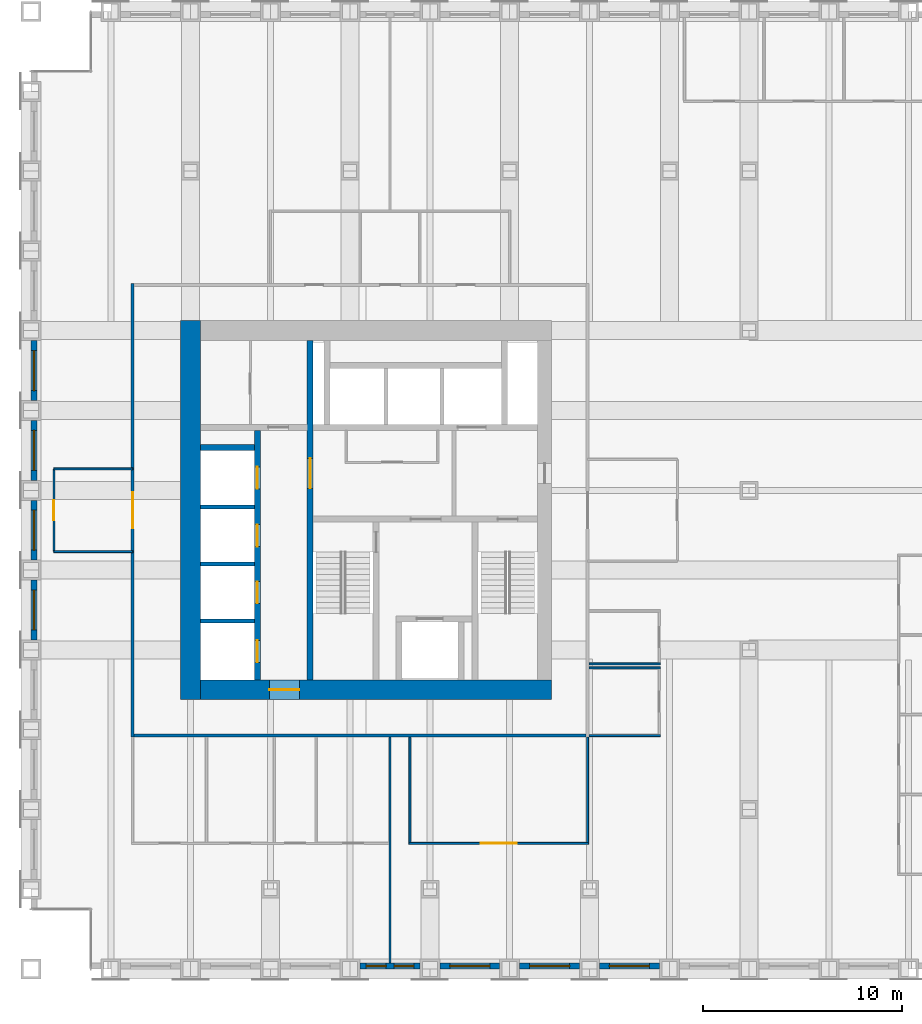
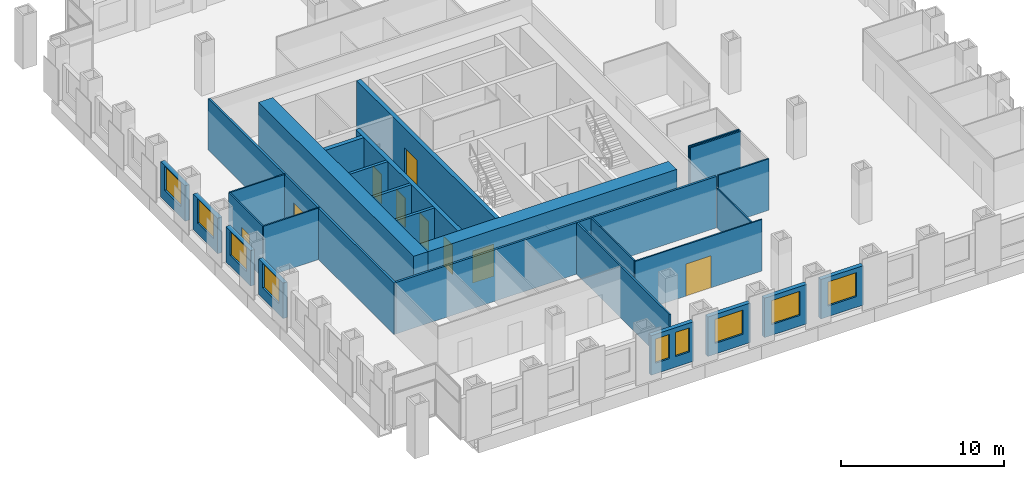
# One storey, part 11 of 16: 28 walls, 9 doors, 9 windows, 18 openings.
"""IFC4 building model written with IfcOpenShell, lengths in metres."""

from ifc_helpers import new_model, si_unit, direction, frame, frame_2d, origin, place, context, subcontext, project, spatial, rectangle, extrude, material, layer, layer_set, type_object, element, fill, save


model = new_model("IFC4")

# Units and contexts
model_context = context("Model", 3, precision=1e-05, world=origin(), true_north=direction((0.0, 1.0)))
body_context = subcontext(model_context, "Body", "Model", "MODEL_VIEW")
ifc_project = project(units=[si_unit("LENGTHUNIT", "METRE"), si_unit("AREAUNIT", "SQUARE_METRE"), si_unit("VOLUMEUNIT", "CUBIC_METRE"), si_unit("PLANEANGLEUNIT", "RADIAN"), si_unit("MASSUNIT", "GRAM", prefix="KILO")], contexts=[model_context])

# Site, building, storey
site_placement = place(None, origin())
site = spatial("IfcSite", under=ifc_project, at=site_placement, CompositionType="ELEMENT")
building_placement = place(site_placement, origin())
building = spatial("IfcBuilding", under=site, at=building_placement, Name="Rimbunsela Tower", CompositionType="ELEMENT")
storey_placement = place(building_placement, frame((0.0, 0.0, 133.39990234375)))
storey = spatial("IfcBuildingStorey", under=building, at=storey_placement, Name="L32", CompositionType="ELEMENT", Elevation=133.39990234375)

# Wall, opening, door
ifc_material_1 = material(Name="Concrete fc' 80 MPa", Category="concrete")
ifc_layer_1 = layer(ifc_material_1, 0.300048828125)
ifc_layer_set_1 = layer_set([ifc_layer_1], Name="Core internal wall 300")
wall_type_1 = type_object("IfcWallType", Name="Core internal wall 300", PredefinedType="SHEAR", material=ifc_layer_set_1)
wall_1_placement = place(storey_placement, frame((24.0, 18.5, -0.14990234375), z_axis=(0.0, 0.0, 1.0), x_axis=(0.0, 1.0, 0.0)))
wall_1 = element("IfcWall", 1, at=wall_1_placement, inside=storey, type_object=wall_type_1, Name="Core wall at stair A", PredefinedType="SHEAR", context=body_context, shape_type="SweptSolid", body=[
    extrude(rectangle(XDim=17.0, YDim=0.300048828125, at=frame_2d((8.5, 0.0))), origin(), (0.0, 0.0, 1.0), 4.0),
])
opening_1_placement = place(wall_1_placement, frame((9.60009765625, 0.0, 0.14990234375)))
opening_1 = element("IfcOpeningElement", 2, at=opening_1_placement, cuts=wall_1, Name="Opening D03", PredefinedType="OPENING", context=body_context, shape_type="SweptSolid", body=[
    extrude(rectangle(XDim=1.5, YDim=2.39990234375, at=frame_2d((0.75, 1.199951171875))), frame((0.0, 0.159912109375, 0.0), z_axis=(0.0, -1.0, 0.0), x_axis=(1.0, 0.0, 0.0)), (0.0, 0.0, 1.0), 0.320068359375),
])
ifc_material_2 = material(Name="Steel door, fire rated", Category="steel")
door_type_1 = type_object("IfcDoorType", Name="Core lobby door 1500", OperationType="DOUBLE_DOOR_DOUBLE_SWING", PredefinedType="DOOR", material=ifc_material_2)
door_1_placement = place(opening_1_placement, origin())
door_1 = element("IfcDoor", 3, at=door_1_placement, inside=storey, type_object=door_type_1, Name="West lobby door", OperationType="DOUBLE_DOOR_DOUBLE_SWING", OverallHeight=2.39990234375, OverallWidth=1.5, PredefinedType="DOOR", context=body_context, shape_type="SweptSolid", body=[
    extrude(rectangle(XDim=1.5, YDim=2.39990234375, at=frame_2d((0.75, 1.199951171875))), frame((0.0, 0.02490234375, 0.0), z_axis=(0.0, -1.0, 0.0), x_axis=(1.0, 0.0, 0.0)), (0.0, 0.0, 1.0), 0.050048828125),
])
fill(opening_1, door_1)

# Wall, openings, doors
wall_2_placement = place(storey_placement, frame((21.35009765625, 18.5, -0.14990234375), z_axis=(0.0, 0.0, 1.0), x_axis=(0.0, 1.0, 0.0)))
wall_2 = element("IfcWall", 4, at=wall_2_placement, inside=storey, type_object=wall_type_1, Name="Lift shaft front west", PredefinedType="SHEAR", context=body_context, shape_type="SweptSolid", body=[
    extrude(rectangle(XDim=12.5, YDim=0.300048828125, at=frame_2d((6.25, 0.0))), origin(), (0.0, 0.0, 1.0), 4.0),
])
opening_2_placement = place(wall_2_placement, frame((0.875, 0.0, 0.14990234375)))
opening_2 = element("IfcOpeningElement", 5, at=opening_2_placement, cuts=wall_2, Name="Opening LD1", PredefinedType="OPENING", context=body_context, shape_type="SweptSolid", body=[
    extrude(rectangle(XDim=1.10009765625, YDim=2.199951171875, at=frame_2d((0.550048828125, 1.10009765625))), frame((0.0, 0.159912109375, 0.0), z_axis=(0.0, -1.0, 0.0), x_axis=(1.0, 0.0, 0.0)), (0.0, 0.0, 1.0), 0.320068359375),
])
opening_3_placement = place(wall_2_placement, frame((3.824951171875, 0.0, 0.14990234375)))
opening_3 = element("IfcOpeningElement", 6, at=opening_3_placement, cuts=wall_2, Name="Opening LD1", PredefinedType="OPENING", context=body_context, shape_type="SweptSolid", body=[
    extrude(rectangle(XDim=1.10009765625, YDim=2.199951171875, at=frame_2d((0.550048828125, 1.10009765625))), frame((0.0, 0.159912109375, 0.0), z_axis=(0.0, -1.0, 0.0), x_axis=(1.0, 0.0, 0.0)), (0.0, 0.0, 1.0), 0.320068359375),
])
opening_4_placement = place(wall_2_placement, frame((6.675048828125, 0.0, 0.14990234375)))
opening_4 = element("IfcOpeningElement", 7, at=opening_4_placement, cuts=wall_2, Name="Opening LD1", PredefinedType="OPENING", context=body_context, shape_type="SweptSolid", body=[
    extrude(rectangle(XDim=1.10009765625, YDim=2.199951171875, at=frame_2d((0.550048828125, 1.10009765625))), frame((0.0, 0.159912109375, 0.0), z_axis=(0.0, -1.0, 0.0), x_axis=(1.0, 0.0, 0.0)), (0.0, 0.0, 1.0), 0.320068359375),
])
opening_5_placement = place(wall_2_placement, frame((9.574951171875, 0.0, 0.14990234375)))
opening_5 = element("IfcOpeningElement", 8, at=opening_5_placement, cuts=wall_2, Name="Opening LD1", PredefinedType="OPENING", context=body_context, shape_type="SweptSolid", body=[
    extrude(rectangle(XDim=1.10009765625, YDim=2.199951171875, at=frame_2d((0.550048828125, 1.10009765625))), frame((0.0, 0.159912109375, 0.0), z_axis=(0.0, -1.0, 0.0), x_axis=(1.0, 0.0, 0.0)), (0.0, 0.0, 1.0), 0.320068359375),
])
ifc_material_3 = material(Name="Steel door, fire rated", Category="steel")
door_type_2 = type_object("IfcDoorType", Name="Lift landing door 1100", OperationType="DOUBLE_DOOR_SLIDING", PredefinedType="DOOR", material=ifc_material_3)
door_2_placement = place(opening_2_placement, origin())
door_2 = element("IfcDoor", 9, at=door_2_placement, inside=storey, type_object=door_type_2, Name="Lift landing door ML1", OperationType="DOUBLE_DOOR_SLIDING", OverallHeight=2.199951171875, OverallWidth=1.10009765625, PredefinedType="DOOR", context=body_context, shape_type="SweptSolid", body=[
    extrude(rectangle(XDim=1.10009765625, YDim=2.199951171875, at=frame_2d((0.550048828125, 1.10009765625))), frame((0.0, 0.02490234375, 0.0), z_axis=(0.0, -1.0, 0.0), x_axis=(1.0, 0.0, 0.0)), (0.0, 0.0, 1.0), 0.050048828125),
])
fill(opening_2, door_2)
door_3_placement = place(opening_3_placement, origin())
door_3 = element("IfcDoor", 10, at=door_3_placement, inside=storey, type_object=door_type_2, Name="Lift landing door ML2", OperationType="DOUBLE_DOOR_SLIDING", OverallHeight=2.199951171875, OverallWidth=1.10009765625, PredefinedType="DOOR", context=body_context, shape_type="SweptSolid", body=[
    extrude(rectangle(XDim=1.10009765625, YDim=2.199951171875, at=frame_2d((0.550048828125, 1.10009765625))), frame((0.0, 0.02490234375, 0.0), z_axis=(0.0, -1.0, 0.0), x_axis=(1.0, 0.0, 0.0)), (0.0, 0.0, 1.0), 0.050048828125),
])
fill(opening_3, door_3)
door_4_placement = place(opening_4_placement, origin())
door_4 = element("IfcDoor", 11, at=door_4_placement, inside=storey, type_object=door_type_2, Name="Lift landing door ML3", OperationType="DOUBLE_DOOR_SLIDING", OverallHeight=2.199951171875, OverallWidth=1.10009765625, PredefinedType="DOOR", context=body_context, shape_type="SweptSolid", body=[
    extrude(rectangle(XDim=1.10009765625, YDim=2.199951171875, at=frame_2d((0.550048828125, 1.10009765625))), frame((0.0, 0.02490234375, 0.0), z_axis=(0.0, -1.0, 0.0), x_axis=(1.0, 0.0, 0.0)), (0.0, 0.0, 1.0), 0.050048828125),
])
fill(opening_4, door_4)
door_5_placement = place(opening_5_placement, origin())
door_5 = element("IfcDoor", 12, at=door_5_placement, inside=storey, type_object=door_type_2, Name="Lift landing door ML4", OperationType="DOUBLE_DOOR_SLIDING", OverallHeight=2.199951171875, OverallWidth=1.10009765625, PredefinedType="DOOR", context=body_context, shape_type="SweptSolid", body=[
    extrude(rectangle(XDim=1.10009765625, YDim=2.199951171875, at=frame_2d((0.550048828125, 1.10009765625))), frame((0.0, 0.02490234375, 0.0), z_axis=(0.0, -1.0, 0.0), x_axis=(1.0, 0.0, 0.0)), (0.0, 0.0, 1.0), 0.050048828125),
])
fill(opening_5, door_5)

# Walls
wall_3_placement = place(storey_placement, frame((18.5, 30.14990234375, -0.14990234375), z_axis=(0.0, 0.0, 1.0), x_axis=(1.0, 0.0, 0.0)))
element("IfcWall", 13, at=wall_3_placement, inside=storey, type_object=wall_type_1, Name="Lift shaft rear west", PredefinedType="SHEAR", context=body_context, shape_type="SweptSolid", body=[
    extrude(rectangle(XDim=2.699951171875, YDim=0.300048828125, at=frame_2d((1.35009765625, 0.0))), origin(), (0.0, 0.0, 1.0), 4.0),
])
ifc_material_4 = material(Name="Concrete fc' 80 MPa", Category="concrete")
ifc_layer_2 = layer(ifc_material_4, 1.0)
ifc_layer_set_2 = layer_set([ifc_layer_2], Name="Core wall 1000")
wall_type_2 = type_object("IfcWallType", Name="Core wall 1000", PredefinedType="SHEAR", material=ifc_layer_set_2)
wall_4_placement = place(storey_placement, frame((18.0, 17.5, -0.14990234375), z_axis=(0.0, 0.0, 1.0), x_axis=(0.0, 1.0, 0.0)))
element("IfcWall", 14, at=wall_4_placement, inside=storey, type_object=wall_type_2, Name="Core wall west", PredefinedType="SHEAR", context=body_context, shape_type="SweptSolid", body=[
    extrude(rectangle(XDim=19.0, YDim=1.0, at=frame_2d((9.5, 0.0))), origin(), (0.0, 0.0, 1.0), 4.0),
])

# Wall, opening, door
wall_5_placement = place(storey_placement, frame((18.5, 18.0, -0.14990234375), z_axis=(0.0, 0.0, 1.0), x_axis=(1.0, 0.0, 0.0)))
wall_5 = element("IfcWall", 15, at=wall_5_placement, inside=storey, type_object=wall_type_2, Name="Core wall south", PredefinedType="SHEAR", context=body_context, shape_type="SweptSolid", body=[
    extrude(rectangle(XDim=17.60009765625, YDim=1.0, at=frame_2d((8.800048828125, 0.0))), origin(), (0.0, 0.0, 1.0), 4.0),
])
opening_6_placement = place(wall_5_placement, frame((3.449951171875, 0.0, 0.14990234375)))
opening_6 = element("IfcOpeningElement", 16, at=opening_6_placement, cuts=wall_5, Name="Opening D03", PredefinedType="OPENING", context=body_context, shape_type="SweptSolid", body=[
    extrude(rectangle(XDim=1.5, YDim=2.39990234375, at=frame_2d((0.75, 1.199951171875))), frame((0.0, 0.510009765625, 0.0), z_axis=(0.0, -1.0, 0.0), x_axis=(1.0, 0.0, 0.0)), (0.0, 0.0, 1.0), 1.02001953125),
])
door_6_placement = place(opening_6_placement, origin())
door_6 = element("IfcDoor", 17, at=door_6_placement, inside=storey, type_object=door_type_1, Name="Core door south", OperationType="DOUBLE_DOOR_DOUBLE_SWING", OverallHeight=2.39990234375, OverallWidth=1.5, PredefinedType="DOOR", context=body_context, shape_type="SweptSolid", body=[
    extrude(rectangle(XDim=1.5, YDim=2.39990234375, at=frame_2d((0.75, 1.199951171875))), frame((0.0, 0.02490234375, 0.0), z_axis=(0.0, -1.0, 0.0), x_axis=(1.0, 0.0, 0.0)), (0.0, 0.0, 1.0), 0.050048828125),
])
fill(opening_6, door_6)

# Walls
ifc_material_5 = material(Name="Concrete blockwork", Category="masonry")
ifc_layer_3 = layer(ifc_material_5, 0.199951171875)
ifc_layer_set_3 = layer_set([ifc_layer_3], Name="Lift shaft wall 200")
wall_type_3 = type_object("IfcWallType", Name="Lift shaft wall 200", PredefinedType="SOLIDWALL", material=ifc_layer_set_3)
for number, where, z_axis, x_axis, name in (
    (18, (18.5, 21.449951171875, -0.14990234375), (0.0, 0.0, 1.0), (1.0, 0.0, 0.0), "Lift shaft separation"),
    (19, (18.5, 24.300048828125, -0.14990234375), (0.0, 0.0, 1.0), (1.0, 0.0, 0.0), "Lift shaft separation"),
    (20, (18.5, 27.14990234375, -0.14990234375), (0.0, 0.0, 1.0), (1.0, 0.0, 0.0), "Lift shaft separation"),
):
    element("IfcWall", number, at=place(storey_placement, frame(where, z_axis=z_axis, x_axis=x_axis)), inside=storey, type_object=wall_type_3, Name=name, PredefinedType="SOLIDWALL", context=body_context, shape_type="SweptSolid", body=[
        extrude(rectangle(XDim=2.699951171875, YDim=0.199951171875, at=frame_2d((1.35009765625, 0.0))), origin(), (0.0, 0.0, 1.0), 4.0),
    ])

# Wall, opening, door
ifc_material_6 = material(Name="Gypsum board on steel studs", Category="steel")
ifc_layer_4 = layer(ifc_material_6, 0.10009765625)
ifc_layer_set_4 = layer_set([ifc_layer_4], Name="Office partition 100")
wall_type_4 = type_object("IfcWallType", Name="Office partition 100", PredefinedType="PARTITIONING", material=ifc_layer_set_4)
wall_6_placement = place(storey_placement, frame((28.948974609375, 10.300048828125, 0.0), z_axis=(0.0, 0.0, 1.0), x_axis=(1.0, 0.0, 0.0)))
wall_6 = element("IfcWall", 21, at=wall_6_placement, inside=storey, type_object=wall_type_4, Name="Office partition", PredefinedType="PARTITIONING", context=body_context, shape_type="SweptSolid", body=[
    extrude(rectangle(XDim=9.0009765625, YDim=0.10009765625, at=frame_2d((4.50048828125, 0.0))), origin(), (0.0, 0.0, 1.0), 3.85009765625),
])
opening_7_placement = place(wall_6_placement, frame((3.6005859375, 0.0, 0.0)))
opening_7 = element("IfcOpeningElement", 22, at=opening_7_placement, cuts=wall_6, Name="Opening D18", PredefinedType="OPENING", context=body_context, shape_type="SweptSolid", body=[
    extrude(rectangle(XDim=1.800048828125, YDim=2.39990234375, at=frame_2d((0.89990234375, 1.199951171875))), frame((0.0, 0.06005859375, 0.0), z_axis=(0.0, -1.0, 0.0), x_axis=(1.0, 0.0, 0.0)), (0.0, 0.0, 1.0), 0.1201171875),
])
ifc_material_7 = material(Name="Glazed aluminium door", Category="aluminium")
door_type_3 = type_object("IfcDoorType", Name="Boardroom door 1800 glazed", OperationType="DOUBLE_DOOR_DOUBLE_SWING", PredefinedType="DOOR", material=ifc_material_7)
door_7_placement = place(opening_7_placement, origin())
door_7 = element("IfcDoor", 23, at=door_7_placement, inside=storey, type_object=door_type_3, Name="Boardroom door", OperationType="DOUBLE_DOOR_DOUBLE_SWING", OverallHeight=2.39990234375, OverallWidth=1.800048828125, PredefinedType="DOOR", context=body_context, shape_type="SweptSolid", body=[
    extrude(rectangle(XDim=1.800048828125, YDim=2.39990234375, at=frame_2d((0.89990234375, 1.199951171875))), frame((0.0, 0.02490234375, 0.0), z_axis=(0.0, -1.0, 0.0), x_axis=(1.0, 0.0, 0.0)), (0.0, 0.0, 1.0), 0.050048828125),
])
fill(opening_7, door_7)

# Walls
for number, where, z_axis, x_axis, name in (
    (24, (37.97509765625, 15.699951171875, 0.0), (0.0, 0.0, 1.0), (1.0, 0.0, 0.0), "Office partition"),
    (25, (37.97509765625, 19.10009765625, 0.0), (0.0, 0.0, 1.0), (1.0, 0.0, 0.0), "Office partition"),
    (26, (37.97509765625, 19.300048828125, 0.0), (0.0, 0.0, 1.0), (1.0, 0.0, 0.0), "Office partition"),
):
    element("IfcWall", number, at=place(storey_placement, frame(where, z_axis=z_axis, x_axis=x_axis)), inside=storey, type_object=wall_type_4, Name=name, PredefinedType="PARTITIONING", context=body_context, shape_type="SweptSolid", body=[
        extrude(rectangle(XDim=3.574951171875, YDim=0.10009765625, at=frame_2d((1.78759765625, 0.0))), origin(), (0.0, 0.0, 1.0), 3.85009765625),
    ])
wall_7_placement = place(storey_placement, frame((28.9990234375, 10.35009765625, 0.0), z_axis=(0.0, 0.0, 1.0), x_axis=(0.0, 1.0, 0.0)))
element("IfcWall", 27, at=wall_7_placement, inside=storey, type_object=wall_type_4, Name="Office partition", PredefinedType="PARTITIONING", context=body_context, shape_type="SweptSolid", body=[
    extrude(rectangle(XDim=5.27490234375, YDim=0.10009765625, at=frame_2d((2.637451171875, 0.0))), origin(), (0.0, 0.0, 1.0), 3.85009765625),
])
wall_8_placement = place(storey_placement, frame((37.89990234375, 10.35009765625, 0.0), z_axis=(0.0, 0.0, 1.0), x_axis=(0.0, 1.0, 0.0)))
element("IfcWall", 28, at=wall_8_placement, inside=storey, type_object=wall_type_4, Name="Office partition", PredefinedType="PARTITIONING", context=body_context, shape_type="SweptSolid", body=[
    extrude(rectangle(XDim=5.27490234375, YDim=0.10009765625, at=frame_2d((2.637451171875, 0.0))), origin(), (0.0, 0.0, 1.0), 2.9501953125),
])
wall_9_placement = place(storey_placement, frame((15.10009765625, 29.074951171875, 0.0), z_axis=(0.0, 0.0, 1.0), x_axis=(-1.0, 0.0, 0.0)))
element("IfcWall", 29, at=wall_9_placement, inside=storey, type_object=wall_type_4, Name="Office partition", PredefinedType="PARTITIONING", context=body_context, shape_type="SweptSolid", body=[
    extrude(rectangle(XDim=3.9501953125, YDim=0.10009765625, at=frame_2d((1.97509765625, 0.0))), origin(), (0.0, 0.0, 1.0), 3.85009765625),
])

# Wall, opening, door
wall_10_placement = place(storey_placement, frame((11.14990234375, 29.074951171875, 0.0), z_axis=(0.0, 0.0, 1.0), x_axis=(0.0, -1.0, 0.0)))
wall_10 = element("IfcWall", 30, at=wall_10_placement, inside=storey, type_object=wall_type_4, Name="Office partition", PredefinedType="PARTITIONING", context=body_context, shape_type="SweptSolid", body=[
    extrude(rectangle(XDim=4.14990234375, YDim=0.10009765625, at=frame_2d((2.074951171875, 0.0))), origin(), (0.0, 0.0, 1.0), 3.85009765625),
])
opening_8_placement = place(wall_10_placement, frame((1.574951171875, 0.0, 0.0)))
opening_8 = element("IfcOpeningElement", 31, at=opening_8_placement, cuts=wall_10, Name="Opening D17", PredefinedType="OPENING", context=body_context, shape_type="SweptSolid", body=[
    extrude(rectangle(XDim=1.0, YDim=2.199951171875, at=frame_2d((0.5, 1.10009765625))), frame((0.0, 0.06005859375, 0.0), z_axis=(0.0, -1.0, 0.0), x_axis=(1.0, 0.0, 0.0)), (0.0, 0.0, 1.0), 0.1201171875),
])
ifc_material_8 = material(Name="Glazed aluminium door", Category="aluminium")
door_type_4 = type_object("IfcDoorType", Name="Meeting room door 1000 glazed", OperationType="SINGLE_SWING_RIGHT", PredefinedType="DOOR", material=ifc_material_8)
door_8_placement = place(opening_8_placement, origin())
door_8 = element("IfcDoor", 32, at=door_8_placement, inside=storey, type_object=door_type_4, Name="Reception door", OperationType="SINGLE_SWING_RIGHT", OverallHeight=2.199951171875, OverallWidth=1.0, PredefinedType="DOOR", context=body_context, shape_type="SweptSolid", body=[
    extrude(rectangle(XDim=1.0, YDim=2.199951171875, at=frame_2d((0.5, 1.10009765625))), frame((0.0, 0.02490234375, 0.0), z_axis=(0.0, -1.0, 0.0), x_axis=(1.0, 0.0, 0.0)), (0.0, 0.0, 1.0), 0.050048828125),
])
fill(opening_8, door_8)

# Wall
wall_11_placement = place(storey_placement, frame((11.14990234375, 24.925048828125, 0.0), z_axis=(0.0, 0.0, 1.0), x_axis=(1.0, 0.0, 0.0)))
element("IfcWall", 33, at=wall_11_placement, inside=storey, type_object=wall_type_4, Name="Office partition", PredefinedType="PARTITIONING", context=body_context, shape_type="SweptSolid", body=[
    extrude(rectangle(XDim=3.9501953125, YDim=0.10009765625, at=frame_2d((1.97509765625, 0.0))), origin(), (0.0, 0.0, 1.0), 3.85009765625),
])

# Wall, openings, windows
ifc_material_9 = material(Name="Precast concrete fc' 35 MPa", Category="concrete")
ifc_layer_5 = layer(ifc_material_9, 0.300048828125)
ifc_layer_set_5 = layer_set([ifc_layer_5], Name="Precast concrete fc' 35 MPa")
wall_type_5 = type_object("IfcWallType", Name="Precast facade panel 300", PredefinedType="ELEMENTEDWALL", material=ifc_layer_set_5)
wall_12_placement = place(storey_placement, frame((26.5, 4.14990234375, 0.0), z_axis=(0.0, 0.0, 1.0), x_axis=(1.0, 0.0, 0.0)))
wall_12 = element("IfcWall", 34, at=wall_12_placement, inside=storey, type_object=wall_type_5, Name="Facade panel S L32", PredefinedType="ELEMENTEDWALL", context=body_context, shape_type="SweptSolid", body=[
    extrude(rectangle(XDim=3.0, YDim=0.300048828125, at=frame_2d((1.5, 0.0))), origin(), (0.0, 0.0, 1.0), 2.9501953125),
])
opening_9_placement = place(wall_12_placement, frame((0.300048828125, 0.0, 0.800048828125)))
opening_9 = element("IfcOpeningElement", 35, at=opening_9_placement, cuts=wall_12, Name="Opening W8", PredefinedType="OPENING", context=body_context, shape_type="SweptSolid", body=[
    extrude(rectangle(XDim=1.0, YDim=1.800048828125, at=frame_2d((0.5, 0.89990234375))), frame((0.0, 0.159912109375, 0.0), z_axis=(0.0, -1.0, 0.0), x_axis=(1.0, 0.0, 0.0)), (0.0, 0.0, 1.0), 0.320068359375),
])
opening_10_placement = place(wall_12_placement, frame((1.699951171875, 0.0, 0.800048828125)))
opening_10 = element("IfcOpeningElement", 36, at=opening_10_placement, cuts=wall_12, Name="Opening W8", PredefinedType="OPENING", context=body_context, shape_type="SweptSolid", body=[
    extrude(rectangle(XDim=1.0, YDim=1.800048828125, at=frame_2d((0.5, 0.89990234375))), frame((0.0, 0.159912109375, 0.0), z_axis=(0.0, -1.0, 0.0), x_axis=(1.0, 0.0, 0.0)), (0.0, 0.0, 1.0), 0.320068359375),
])
ifc_material_10 = material(Name="Clear glass in aluminium frame", Category="aluminium")
window_type_1 = type_object("IfcWindowType", Name="Window W8 1000x1800", PartitioningType="SINGLE_PANEL", PredefinedType="WINDOW", material=ifc_material_10)
window_1_placement = place(opening_9_placement, origin())
window_1 = element("IfcWindow", 37, at=window_1_placement, inside=storey, type_object=window_type_1, Name="Window L32", OverallHeight=1.800048828125, OverallWidth=1.0, PartitioningType="SINGLE_PANEL", PredefinedType="WINDOW", context=body_context, shape_type="SweptSolid", body=[
    extrude(rectangle(XDim=1.0, YDim=1.800048828125, at=frame_2d((0.5, 0.89990234375))), frame((0.0, 0.030029296875, 0.0), z_axis=(0.0, -1.0, 0.0), x_axis=(1.0, 0.0, 0.0)), (0.0, 0.0, 1.0), 0.06005859375),
])
fill(opening_9, window_1)
window_2_placement = place(opening_10_placement, origin())
window_2 = element("IfcWindow", 38, at=window_2_placement, inside=storey, type_object=window_type_1, Name="Window L32", OverallHeight=1.800048828125, OverallWidth=1.0, PartitioningType="SINGLE_PANEL", PredefinedType="WINDOW", context=body_context, shape_type="SweptSolid", body=[
    extrude(rectangle(XDim=1.0, YDim=1.800048828125, at=frame_2d((0.5, 0.89990234375))), frame((0.0, 0.030029296875, 0.0), z_axis=(0.0, -1.0, 0.0), x_axis=(1.0, 0.0, 0.0)), (0.0, 0.0, 1.0), 0.06005859375),
])
fill(opening_10, window_2)

# Wall, opening, window
wall_13_placement = place(storey_placement, frame((30.5, 4.14990234375, 0.0), z_axis=(0.0, 0.0, 1.0), x_axis=(1.0, 0.0, 0.0)))
wall_13 = element("IfcWall", 39, at=wall_13_placement, inside=storey, type_object=wall_type_5, Name="Facade panel S L32", PredefinedType="ELEMENTEDWALL", context=body_context, shape_type="SweptSolid", body=[
    extrude(rectangle(XDim=3.0, YDim=0.300048828125, at=frame_2d((1.5, 0.0))), origin(), (0.0, 0.0, 1.0), 2.9501953125),
])
opening_11_placement = place(wall_13_placement, frame((0.5, 0.0, 0.800048828125)))
opening_11 = element("IfcOpeningElement", 40, at=opening_11_placement, cuts=wall_13, Name="Opening W7", PredefinedType="OPENING", context=body_context, shape_type="SweptSolid", body=[
    extrude(rectangle(XDim=2.0, YDim=1.800048828125, at=frame_2d((1.0, 0.89990234375))), frame((0.0, 0.159912109375, 0.0), z_axis=(0.0, -1.0, 0.0), x_axis=(1.0, 0.0, 0.0)), (0.0, 0.0, 1.0), 0.320068359375),
])
ifc_material_11 = material(Name="Clear glass in aluminium frame", Category="aluminium")
window_type_2 = type_object("IfcWindowType", Name="Window W7 2000x1800", PartitioningType="DOUBLE_PANEL_VERTICAL", PredefinedType="WINDOW", material=ifc_material_11)
window_3_placement = place(opening_11_placement, origin())
window_3 = element("IfcWindow", 41, at=window_3_placement, inside=storey, type_object=window_type_2, Name="Window L32", OverallHeight=1.800048828125, OverallWidth=2.0, PartitioningType="SINGLE_PANEL", PredefinedType="WINDOW", context=body_context, shape_type="SweptSolid", body=[
    extrude(rectangle(XDim=2.0, YDim=1.800048828125, at=frame_2d((1.0, 0.89990234375))), frame((0.0, 0.030029296875, 0.0), z_axis=(0.0, -1.0, 0.0), x_axis=(1.0, 0.0, 0.0)), (0.0, 0.0, 1.0), 0.06005859375),
])
fill(opening_11, window_3)

wall_14_placement = place(storey_placement, frame((34.5, 4.14990234375, 0.0), z_axis=(0.0, 0.0, 1.0), x_axis=(1.0, 0.0, 0.0)))
wall_14 = element("IfcWall", 42, at=wall_14_placement, inside=storey, type_object=wall_type_5, Name="Facade panel S L32", PredefinedType="ELEMENTEDWALL", context=body_context, shape_type="SweptSolid", body=[
    extrude(rectangle(XDim=3.0, YDim=0.300048828125, at=frame_2d((1.5, 0.0))), origin(), (0.0, 0.0, 1.0), 2.9501953125),
])
opening_12_placement = place(wall_14_placement, frame((0.5, 0.0, 0.800048828125)))
opening_12 = element("IfcOpeningElement", 43, at=opening_12_placement, cuts=wall_14, Name="Opening W7", PredefinedType="OPENING", context=body_context, shape_type="SweptSolid", body=[
    extrude(rectangle(XDim=2.0, YDim=1.800048828125, at=frame_2d((1.0, 0.89990234375))), frame((0.0, 0.159912109375, 0.0), z_axis=(0.0, -1.0, 0.0), x_axis=(1.0, 0.0, 0.0)), (0.0, 0.0, 1.0), 0.320068359375),
])
window_4_placement = place(opening_12_placement, origin())
window_4 = element("IfcWindow", 44, at=window_4_placement, inside=storey, type_object=window_type_2, Name="Window L32", OverallHeight=1.800048828125, OverallWidth=2.0, PartitioningType="SINGLE_PANEL", PredefinedType="WINDOW", context=body_context, shape_type="SweptSolid", body=[
    extrude(rectangle(XDim=2.0, YDim=1.800048828125, at=frame_2d((1.0, 0.89990234375))), frame((0.0, 0.030029296875, 0.0), z_axis=(0.0, -1.0, 0.0), x_axis=(1.0, 0.0, 0.0)), (0.0, 0.0, 1.0), 0.06005859375),
])
fill(opening_12, window_4)

wall_15_placement = place(storey_placement, frame((38.5, 4.14990234375, 0.0), z_axis=(0.0, 0.0, 1.0), x_axis=(1.0, 0.0, 0.0)))
wall_15 = element("IfcWall", 45, at=wall_15_placement, inside=storey, type_object=wall_type_5, Name="Facade panel S L32", PredefinedType="ELEMENTEDWALL", context=body_context, shape_type="SweptSolid", body=[
    extrude(rectangle(XDim=3.0, YDim=0.300048828125, at=frame_2d((1.5, 0.0))), origin(), (0.0, 0.0, 1.0), 2.9501953125),
])
opening_13_placement = place(wall_15_placement, frame((0.5, 0.0, 0.800048828125)))
opening_13 = element("IfcOpeningElement", 46, at=opening_13_placement, cuts=wall_15, Name="Opening W7", PredefinedType="OPENING", context=body_context, shape_type="SweptSolid", body=[
    extrude(rectangle(XDim=2.0, YDim=1.800048828125, at=frame_2d((1.0, 0.89990234375))), frame((0.0, 0.159912109375, 0.0), z_axis=(0.0, -1.0, 0.0), x_axis=(1.0, 0.0, 0.0)), (0.0, 0.0, 1.0), 0.320068359375),
])
window_5_placement = place(opening_13_placement, origin())
window_5 = element("IfcWindow", 47, at=window_5_placement, inside=storey, type_object=window_type_2, Name="Window L32", OverallHeight=1.800048828125, OverallWidth=2.0, PartitioningType="SINGLE_PANEL", PredefinedType="WINDOW", context=body_context, shape_type="SweptSolid", body=[
    extrude(rectangle(XDim=2.0, YDim=1.800048828125, at=frame_2d((1.0, 0.89990234375))), frame((0.0, 0.030029296875, 0.0), z_axis=(0.0, -1.0, 0.0), x_axis=(1.0, 0.0, 0.0)), (0.0, 0.0, 1.0), 0.06005859375),
])
fill(opening_13, window_5)

wall_16_placement = place(storey_placement, frame((10.14990234375, 23.5, 0.0), z_axis=(0.0, 0.0, 1.0), x_axis=(0.0, -1.0, 0.0)))
wall_16 = element("IfcWall", 48, at=wall_16_placement, inside=storey, type_object=wall_type_5, Name="Facade panel W L32", PredefinedType="ELEMENTEDWALL", context=body_context, shape_type="SweptSolid", body=[
    extrude(rectangle(XDim=3.0, YDim=0.300048828125, at=frame_2d((1.5, 0.0))), origin(), (0.0, 0.0, 1.0), 2.650146484375),
])
opening_14_placement = place(wall_16_placement, frame((0.5, 0.0, 0.800048828125)))
opening_14 = element("IfcOpeningElement", 49, at=opening_14_placement, cuts=wall_16, Name="Opening W7", PredefinedType="OPENING", context=body_context, shape_type="SweptSolid", body=[
    extrude(rectangle(XDim=2.0, YDim=1.800048828125, at=frame_2d((1.0, 0.89990234375))), frame((0.0, 0.159912109375, 0.0), z_axis=(0.0, -1.0, 0.0), x_axis=(1.0, 0.0, 0.0)), (0.0, 0.0, 1.0), 0.320068359375),
])
window_6_placement = place(opening_14_placement, origin())
window_6 = element("IfcWindow", 50, at=window_6_placement, inside=storey, type_object=window_type_2, Name="Window L32", OverallHeight=1.800048828125, OverallWidth=2.0, PartitioningType="SINGLE_PANEL", PredefinedType="WINDOW", context=body_context, shape_type="SweptSolid", body=[
    extrude(rectangle(XDim=2.0, YDim=1.800048828125, at=frame_2d((1.0, 0.89990234375))), frame((0.0, 0.030029296875, 0.0), z_axis=(0.0, -1.0, 0.0), x_axis=(1.0, 0.0, 0.0)), (0.0, 0.0, 1.0), 0.06005859375),
])
fill(opening_14, window_6)

wall_17_placement = place(storey_placement, frame((10.14990234375, 27.5, 0.0), z_axis=(0.0, 0.0, 1.0), x_axis=(0.0, -1.0, 0.0)))
wall_17 = element("IfcWall", 51, at=wall_17_placement, inside=storey, type_object=wall_type_5, Name="Facade panel W L32", PredefinedType="ELEMENTEDWALL", context=body_context, shape_type="SweptSolid", body=[
    extrude(rectangle(XDim=3.0, YDim=0.300048828125, at=frame_2d((1.5, 0.0))), origin(), (0.0, 0.0, 1.0), 2.650146484375),
])
opening_15_placement = place(wall_17_placement, frame((0.5, 0.0, 0.800048828125)))
opening_15 = element("IfcOpeningElement", 52, at=opening_15_placement, cuts=wall_17, Name="Opening W7", PredefinedType="OPENING", context=body_context, shape_type="SweptSolid", body=[
    extrude(rectangle(XDim=2.0, YDim=1.800048828125, at=frame_2d((1.0, 0.89990234375))), frame((0.0, 0.159912109375, 0.0), z_axis=(0.0, -1.0, 0.0), x_axis=(1.0, 0.0, 0.0)), (0.0, 0.0, 1.0), 0.320068359375),
])
window_7_placement = place(opening_15_placement, origin())
window_7 = element("IfcWindow", 53, at=window_7_placement, inside=storey, type_object=window_type_2, Name="Window L32", OverallHeight=1.800048828125, OverallWidth=2.0, PartitioningType="SINGLE_PANEL", PredefinedType="WINDOW", context=body_context, shape_type="SweptSolid", body=[
    extrude(rectangle(XDim=2.0, YDim=1.800048828125, at=frame_2d((1.0, 0.89990234375))), frame((0.0, 0.030029296875, 0.0), z_axis=(0.0, -1.0, 0.0), x_axis=(1.0, 0.0, 0.0)), (0.0, 0.0, 1.0), 0.06005859375),
])
fill(opening_15, window_7)

wall_18_placement = place(storey_placement, frame((10.14990234375, 31.5, 0.0), z_axis=(0.0, 0.0, 1.0), x_axis=(0.0, -1.0, 0.0)))
wall_18 = element("IfcWall", 54, at=wall_18_placement, inside=storey, type_object=wall_type_5, Name="Facade panel W L32", PredefinedType="ELEMENTEDWALL", context=body_context, shape_type="SweptSolid", body=[
    extrude(rectangle(XDim=3.0, YDim=0.300048828125, at=frame_2d((1.5, 0.0))), origin(), (0.0, 0.0, 1.0), 2.650146484375),
])
opening_16_placement = place(wall_18_placement, frame((0.5, 0.0, 0.800048828125)))
opening_16 = element("IfcOpeningElement", 55, at=opening_16_placement, cuts=wall_18, Name="Opening W7", PredefinedType="OPENING", context=body_context, shape_type="SweptSolid", body=[
    extrude(rectangle(XDim=2.0, YDim=1.800048828125, at=frame_2d((1.0, 0.89990234375))), frame((0.0, 0.159912109375, 0.0), z_axis=(0.0, -1.0, 0.0), x_axis=(1.0, 0.0, 0.0)), (0.0, 0.0, 1.0), 0.320068359375),
])
window_8_placement = place(opening_16_placement, origin())
window_8 = element("IfcWindow", 56, at=window_8_placement, inside=storey, type_object=window_type_2, Name="Window L32", OverallHeight=1.800048828125, OverallWidth=2.0, PartitioningType="SINGLE_PANEL", PredefinedType="WINDOW", context=body_context, shape_type="SweptSolid", body=[
    extrude(rectangle(XDim=2.0, YDim=1.800048828125, at=frame_2d((1.0, 0.89990234375))), frame((0.0, 0.030029296875, 0.0), z_axis=(0.0, -1.0, 0.0), x_axis=(1.0, 0.0, 0.0)), (0.0, 0.0, 1.0), 0.06005859375),
])
fill(opening_16, window_8)

wall_19_placement = place(storey_placement, frame((10.14990234375, 35.5, 0.0), z_axis=(0.0, 0.0, 1.0), x_axis=(0.0, -1.0, 0.0)))
wall_19 = element("IfcWall", 57, at=wall_19_placement, inside=storey, type_object=wall_type_5, Name="Facade panel W L32", PredefinedType="ELEMENTEDWALL", context=body_context, shape_type="SweptSolid", body=[
    extrude(rectangle(XDim=3.0, YDim=0.300048828125, at=frame_2d((1.5, 0.0))), origin(), (0.0, 0.0, 1.0), 2.650146484375),
])
opening_17_placement = place(wall_19_placement, frame((0.5, 0.0, 0.800048828125)))
opening_17 = element("IfcOpeningElement", 58, at=opening_17_placement, cuts=wall_19, Name="Opening W7", PredefinedType="OPENING", context=body_context, shape_type="SweptSolid", body=[
    extrude(rectangle(XDim=2.0, YDim=1.800048828125, at=frame_2d((1.0, 0.89990234375))), frame((0.0, 0.159912109375, 0.0), z_axis=(0.0, -1.0, 0.0), x_axis=(1.0, 0.0, 0.0)), (0.0, 0.0, 1.0), 0.320068359375),
])
window_9_placement = place(opening_17_placement, origin())
window_9 = element("IfcWindow", 59, at=window_9_placement, inside=storey, type_object=window_type_2, Name="Window L32", OverallHeight=1.800048828125, OverallWidth=2.0, PartitioningType="SINGLE_PANEL", PredefinedType="WINDOW", context=body_context, shape_type="SweptSolid", body=[
    extrude(rectangle(XDim=2.0, YDim=1.800048828125, at=frame_2d((1.0, 0.89990234375))), frame((0.0, 0.030029296875, 0.0), z_axis=(0.0, -1.0, 0.0), x_axis=(1.0, 0.0, 0.0)), (0.0, 0.0, 1.0), 0.06005859375),
])
fill(opening_17, window_9)

# Wall, opening, door
ifc_material_12 = material(Name="Fire-rated gypsum board on steel studs, EI 60", Category="steel")
ifc_layer_6 = layer(ifc_material_12, 0.14990234375)
ifc_layer_set_6 = layer_set([ifc_layer_6], Name="Rated corridor wall 150")
wall_type_6 = type_object("IfcWallType", Name="Rated corridor wall 150", PredefinedType="PARTITIONING", material=ifc_layer_set_6)
wall_20_placement = place(storey_placement, frame((15.10009765625, 15.625, 0.0), z_axis=(0.0, 0.0, 1.0), x_axis=(0.0, 1.0, 0.0)))
wall_20 = element("IfcWall", 60, at=wall_20_placement, inside=storey, type_object=wall_type_6, Name="Corridor wall west", PredefinedType="PARTITIONING", context=body_context, shape_type="SweptSolid", body=[
    extrude(rectangle(XDim=22.75, YDim=0.14990234375, at=frame_2d((11.375, 0.0))), origin(), (0.0, 0.0, 1.0), 3.85009765625),
])
opening_18_placement = place(wall_20_placement, frame((10.47509765625, 0.0, 0.0)))
opening_18 = element("IfcOpeningElement", 61, at=opening_18_placement, cuts=wall_20, Name="Opening D09", PredefinedType="OPENING", context=body_context, shape_type="SweptSolid", body=[
    extrude(rectangle(XDim=1.800048828125, YDim=2.39990234375, at=frame_2d((0.89990234375, 1.199951171875))), frame((0.0, 0.0849609375, 0.0), z_axis=(0.0, -1.0, 0.0), x_axis=(1.0, 0.0, 0.0)), (0.0, 0.0, 1.0), 0.169921875),
])
ifc_material_13 = material(Name="Glazed aluminium door, fire rated", Category="aluminium")
door_type_5 = type_object("IfcDoorType", Name="Tenancy door 1800 glazed", OperationType="DOUBLE_DOOR_DOUBLE_SWING", PredefinedType="DOOR", material=ifc_material_13)
door_9_placement = place(opening_18_placement, origin())
door_9 = element("IfcDoor", 62, at=door_9_placement, inside=storey, type_object=door_type_5, Name="Tenancy door", OperationType="DOUBLE_DOOR_DOUBLE_SWING", OverallHeight=2.39990234375, OverallWidth=1.800048828125, PredefinedType="DOOR", context=body_context, shape_type="SweptSolid", body=[
    extrude(rectangle(XDim=1.800048828125, YDim=2.39990234375, at=frame_2d((0.89990234375, 1.199951171875))), frame((0.0, 0.02490234375, 0.0), z_axis=(0.0, -1.0, 0.0), x_axis=(1.0, 0.0, 0.0)), (0.0, 0.0, 1.0), 0.050048828125),
])
fill(opening_18, door_9)

# Walls
wall_21_placement = place(storey_placement, frame((15.175048828125, 15.699951171875, 0.0), z_axis=(0.0, 0.0, 1.0), x_axis=(1.0, 0.0, 0.0)))
element("IfcWall", 63, at=wall_21_placement, inside=storey, type_object=wall_type_6, Name="Corridor wall south", PredefinedType="PARTITIONING", context=body_context, shape_type="SweptSolid", body=[
    extrude(rectangle(XDim=22.64990234375, YDim=0.14990234375, at=frame_2d((11.324951171875, 0.0))), origin(), (0.0, 0.0, 1.0), 3.85009765625),
])
ifc_material_14 = material(Name="Gypsum board on steel studs", Category="steel")
ifc_layer_7 = layer(ifc_material_14, 0.1201171875)
ifc_layer_set_7 = layer_set([ifc_layer_7], Name="Tenancy partition 120")
wall_type_7 = type_object("IfcWallType", Name="Tenancy partition 120", PredefinedType="PARTITIONING", material=ifc_layer_set_7)
wall_22_placement = place(storey_placement, frame((28.0, 4.300048828125, 0.0), z_axis=(0.0, 0.0, 1.0), x_axis=(0.0, 1.0, 0.0)))
element("IfcWall", 64, at=wall_22_placement, inside=storey, type_object=wall_type_7, Name="Tenancy partition south", PredefinedType="PARTITIONING", context=body_context, shape_type="SweptSolid", body=[
    extrude(rectangle(XDim=11.324951171875, YDim=0.1201171875, at=frame_2d((5.66259765625, 0.0))), origin(), (0.0, 0.0, 1.0), 3.85009765625),
])

save(model, "model.ifc")
